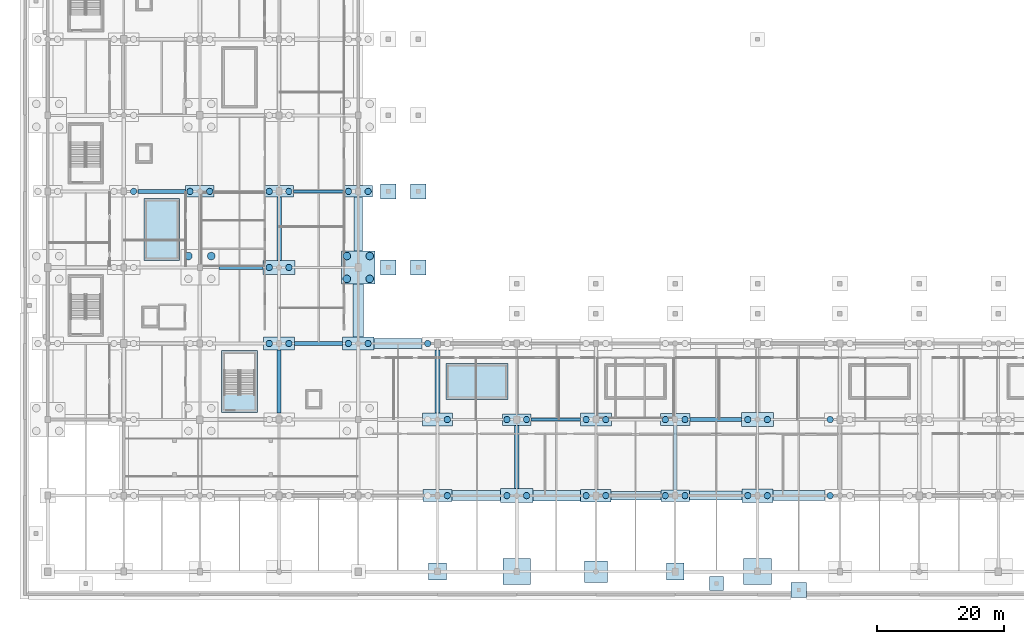
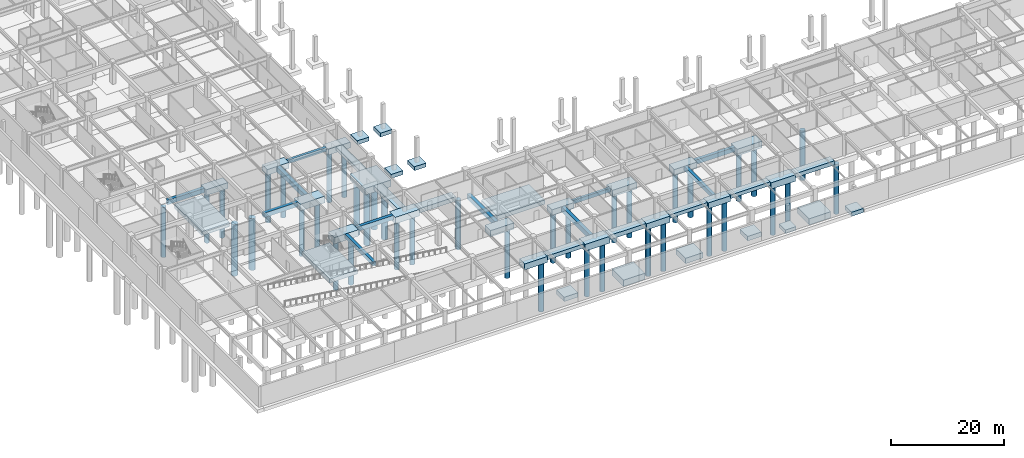
# One storey, part 2 of 56: 50 footings, 40 piles.
"""IFC4 building model written with IfcOpenShell, lengths in metres."""

from ifc_helpers import new_model, si_unit, direction, frame, origin, origin_2d, place, context, subcontext, project, spatial, polyline, rectangle, circle, outline, extrude, material, material_profile, profile_set, type_object, element, save


model = new_model("IFC4")

# Units and contexts
model_context = context("Model", 3, precision=1e-05, world=origin(), true_north=direction((0.0, 1.0)))
body_context = subcontext(model_context, "Body", "Model", "MODEL_VIEW")
ifc_project = project(units=[si_unit("LENGTHUNIT", "METRE"), si_unit("AREAUNIT", "SQUARE_METRE"), si_unit("VOLUMEUNIT", "CUBIC_METRE"), si_unit("PLANEANGLEUNIT", "RADIAN"), si_unit("MASSUNIT", "GRAM", prefix="KILO")], contexts=[model_context])

# Site, building, storey
site_placement = place(None, origin())
site = spatial("IfcSite", under=ifc_project, at=site_placement, CompositionType="ELEMENT")
building_placement = place(site_placement, origin())
building = spatial("IfcBuilding", under=site, at=building_placement, Name="Kazenohara Klinker Stadium", CompositionType="ELEMENT")
storey_placement = place(building_placement, frame((0.0, 0.0, -4.800048828125)))
storey = spatial("IfcBuildingStorey", under=building, at=storey_placement, Name="B01", CompositionType="ELEMENT", Elevation=-4.800048828125)

# Footings
ifc_material = material(Name="Concrete C35/45", Category="concrete")
footing_type_1 = type_object("IfcFootingType", Name="CAP-PC01", PredefinedType="PILE_CAP", material=ifc_material)
for number, where, z_axis, x_axis, name in (
    (1, (24.0, 60.0, -1.25), (0.0, 0.0, 1.0), (1.0, 0.0, 0.0), "Pile cap PC01 at 3/F"),
    (2, (36.5, 60.0, -1.25), (0.0, 0.0, 1.0), (1.0, 0.0, 0.0), "Pile cap PC01 at 4/F"),
    (3, (49.0, 60.0, -1.25), (0.0, 0.0, 1.0), (1.0, 0.0, 0.0), "Pile cap PC01 at 5/F"),
    (4, (74.0, 24.0, -1.25), (0.0, 0.0, 1.0), (1.0, 0.0, 0.0), "Pile cap PC01 at 7/C"),
    (5, (99.0, 12.0, -1.25), (0.0, 0.0, 1.0), (1.0, 0.0, 0.0), "Pile cap PC01 at 9/B"),
):
    element("IfcFooting", number, at=place(storey_placement, frame(where, z_axis=z_axis, x_axis=x_axis)), inside=storey, type_object=footing_type_1, Name=name, PredefinedType="PILE_CAP", context=body_context, shape_type="SweptSolid", body=[
        extrude(rectangle(XDim=4.5, YDim=1.800048828125, at=origin_2d()), origin(), (0.0, 0.0, 1.0), 1.25),
    ])
footing_type_2 = type_object("IfcFootingType", Name="CAP-PC02", PredefinedType="PILE_CAP", material=ifc_material)
for number, where, z_axis, x_axis, name in (
    (6, (61.5, 12.0, -1.2998046875), (0.0, 0.0, 1.0), (1.0, 0.0, 0.0), "Pile cap PC02 at 6/B"),
    (7, (99.0, 24.0, -1.2998046875), (0.0, 0.0, 1.0), (1.0, 0.0, 0.0), "Pile cap PC02 at 9/C"),
):
    element("IfcFooting", number, at=place(storey_placement, frame(where, z_axis=z_axis, x_axis=x_axis)), inside=storey, type_object=footing_type_2, Name=name, PredefinedType="PILE_CAP", context=body_context, shape_type="SweptSolid", body=[
        extrude(rectangle(XDim=4.64990234375, YDim=1.89990234375, at=origin_2d()), origin(), (0.0, 0.0, 1.0), 1.300048828125),
    ])
footing_type_3 = type_object("IfcFootingType", Name="CAP-PC03", PredefinedType="PILE_CAP", material=ifc_material)
for number, where, z_axis, x_axis, name in (
    (8, (61.5, 24.0, -1.35009765625), (0.0, 0.0, 1.0), (1.0, 0.0, 0.0), "Pile cap PC03 at 6/C"),
    (9, (86.5, 12.0, -1.35009765625), (0.0, 0.0, 1.0), (1.0, 0.0, 0.0), "Pile cap PC03 at 8/B"),
):
    element("IfcFooting", number, at=place(storey_placement, frame(where, z_axis=z_axis, x_axis=x_axis)), inside=storey, type_object=footing_type_3, Name=name, PredefinedType="PILE_CAP", context=body_context, shape_type="SweptSolid", body=[
        extrude(rectangle(XDim=4.800048828125, YDim=2.0, at=origin_2d()), origin(), (0.0, 0.0, 1.0), 1.35009765625),
    ])
footing_type_4 = type_object("IfcFootingType", Name="CAP-PC04", PredefinedType="PILE_CAP", material=ifc_material)
for number, where, z_axis, x_axis, name in (
    (10, (36.5, 36.0, -1.39990234375), (0.0, 0.0, 1.0), (1.0, 0.0, 0.0), "Pile cap PC04 at 4/D"),
    (11, (49.0, 36.0, -1.39990234375), (0.0, 0.0, 1.0), (1.0, 0.0, 0.0), "Pile cap PC04 at 5/D"),
    (12, (86.5, 24.0, -1.39990234375), (0.0, 0.0, 1.0), (1.0, 0.0, 0.0), "Pile cap PC04 at 8/C"),
    (13, (112.0, 12.0, -1.39990234375), (0.0, 0.0, 1.0), (1.0, 0.0, 0.0), "Pile cap PC04 at 10/B"),
):
    element("IfcFooting", number, at=place(storey_placement, frame(where, z_axis=z_axis, x_axis=x_axis)), inside=storey, type_object=footing_type_4, Name=name, PredefinedType="PILE_CAP", context=body_context, shape_type="SweptSolid", body=[
        extrude(rectangle(XDim=4.949951171875, YDim=2.10009765625, at=origin_2d()), origin(), (0.0, 0.0, 1.0), 1.39990234375),
    ])
footing_type_5 = type_object("IfcFootingType", Name="CAP-PC05", PredefinedType="PILE_CAP", material=ifc_material)
for number, where, z_axis, x_axis, name in (
    (14, (36.5, 48.0, -1.44970703125), (0.0, 0.0, 1.0), (1.0, 0.0, 0.0), "Pile cap PC05 at 4/E"),
    (15, (74.0, 12.0, -1.44970703125), (0.0, 0.0, 1.0), (1.0, 0.0, 0.0), "Pile cap PC05 at 7/B"),
    (16, (112.0, 24.0, -1.44970703125), (0.0, 0.0, 1.0), (1.0, 0.0, 0.0), "Pile cap PC05 at 10/C"),
):
    element("IfcFooting", number, at=place(storey_placement, frame(where, z_axis=z_axis, x_axis=x_axis)), inside=storey, type_object=footing_type_5, Name=name, PredefinedType="PILE_CAP", context=body_context, shape_type="SweptSolid", body=[
        extrude(rectangle(XDim=5.10009765625, YDim=2.199951171875, at=origin_2d()), origin(), (0.0, 0.0, 1.0), 1.449951171875),
    ])
footing_type_6 = type_object("IfcFootingType", Name="CAP-PC07", PredefinedType="PILE_CAP", material=ifc_material)
footing_1_placement = place(storey_placement, frame((49.0, 48.0, -1.44970703125), z_axis=(0.0, 0.0, 1.0), x_axis=(1.0, 0.0, 0.0)))
element("IfcFooting", 17, at=footing_1_placement, inside=storey, type_object=footing_type_6, Name="Pile cap PC07 at 5/E", PredefinedType="PILE_CAP", context=body_context, shape_type="SweptSolid", body=[
    extrude(rectangle(XDim=5.35009765625, YDim=5.25, at=origin_2d()), origin(), (0.0, 0.0, 1.0), 1.449951171875),
])
footing_type_7 = type_object("IfcFootingType", Name="GBEAM-GB01", PredefinedType="FOOTING_BEAM", material=ifc_material)
footing_2_placement = place(storey_placement, frame((0.0, 0.0, -0.800048828125)))
element("IfcFooting", 18, at=footing_2_placement, inside=storey, type_object=footing_type_7, Name="Foundation tie beam GB01 4-5/F", PredefinedType="FOOTING_BEAM", context=body_context, shape_type="SweptSolid", body=[
    extrude(outline(polyline([(38.75, 59.75), (46.75, 59.75), (46.75, 60.25), (38.75, 60.25), (38.75, 59.75)])), origin(), (0.0, 0.0, 1.0), 0.800048828125),
])
footing_3_placement = place(storey_placement, frame((0.0, 0.0, -0.800048828125)))
element("IfcFooting", 19, at=footing_3_placement, inside=storey, type_object=footing_type_7, Name="Foundation tie beam GB01 7-8/C", PredefinedType="FOOTING_BEAM", context=body_context, shape_type="SweptSolid", body=[
    extrude(outline(polyline([(76.25, 23.75), (84.02490234375, 23.75), (84.02490234375, 24.25), (76.25, 24.25), (76.25, 23.75)])), origin(), (0.0, 0.0, 1.0), 0.800048828125),
])
footing_type_8 = type_object("IfcFootingType", Name="GBEAM-GB02", PredefinedType="FOOTING_BEAM", material=ifc_material)
footing_4_placement = place(storey_placement, frame((0.0, 0.0, -0.8798828125)))
element("IfcFooting", 20, at=footing_4_placement, inside=storey, type_object=footing_type_8, Name="Foundation tie beam GB02 4/C-D", PredefinedType="FOOTING_BEAM", context=body_context, shape_type="SweptSolid", body=[
    extrude(outline(polyline([(36.2099609375, 25.0), (36.7900390625, 25.0), (36.7900390625, 34.949951171875), (36.2099609375, 34.949951171875), (36.2099609375, 25.0)])), origin(), (0.0, 0.0, 1.0), 0.8798828125),
])
footing_5_placement = place(storey_placement, frame((0.0, 0.0, -0.8798828125)))
element("IfcFooting", 21, at=footing_5_placement, inside=storey, type_object=footing_type_8, Name="Foundation tie beam GB02 9/B-C", PredefinedType="FOOTING_BEAM", context=body_context, shape_type="SweptSolid", body=[
    extrude(outline(polyline([(98.7099609375, 12.89990234375), (99.2900390625, 12.89990234375), (99.2900390625, 23.050048828125), (98.7099609375, 23.050048828125), (98.7099609375, 12.89990234375)])), origin(), (0.0, 0.0, 1.0), 0.8798828125),
])
footing_type_9 = type_object("IfcFootingType", Name="GBEAM-GB03", PredefinedType="FOOTING_BEAM", material=ifc_material)
footing_6_placement = place(storey_placement, frame((0.0, 0.0, -0.9599609375)))
element("IfcFooting", 22, at=footing_6_placement, inside=storey, type_object=footing_type_9, Name="Foundation tie beam GB03 2-3/F", PredefinedType="FOOTING_BEAM", context=body_context, shape_type="SweptSolid", body=[
    extrude(outline(polyline([(14.25, 59.675048828125), (21.75, 59.675048828125), (21.75, 60.324951171875), (14.25, 60.324951171875), (14.25, 59.675048828125)])), origin(), (0.0, 0.0, 1.0), 0.9599609375),
])
footing_7_placement = place(storey_placement, frame((0.0, 0.0, -0.9599609375)))
element("IfcFooting", 23, at=footing_7_placement, inside=storey, type_object=footing_type_9, Name="Foundation tie beam GB03 3-4/E", PredefinedType="FOOTING_BEAM", context=body_context, shape_type="SweptSolid", body=[
    extrude(outline(polyline([(27.0, 47.675048828125), (33.949951171875, 47.675048828125), (33.949951171875, 48.324951171875), (27.0, 48.324951171875), (27.0, 47.675048828125)])), origin(), (0.0, 0.0, 1.0), 0.9599609375),
])
footing_8_placement = place(storey_placement, frame((0.0, 0.0, -0.9599609375)))
element("IfcFooting", 24, at=footing_8_placement, inside=storey, type_object=footing_type_9, Name="Foundation tie beam GB03 4-5/D", PredefinedType="FOOTING_BEAM", context=body_context, shape_type="SweptSolid", body=[
    extrude(outline(polyline([(38.97509765625, 35.675048828125), (46.52490234375, 35.675048828125), (46.52490234375, 36.324951171875), (38.97509765625, 36.324951171875), (38.97509765625, 35.675048828125)])), origin(), (0.0, 0.0, 1.0), 0.9599609375),
])
footing_9_placement = place(storey_placement, frame((0.0, 0.0, -0.9599609375)))
element("IfcFooting", 25, at=footing_9_placement, inside=storey, type_object=footing_type_9, Name="Foundation tie beam GB03 9-10/C", PredefinedType="FOOTING_BEAM", context=body_context, shape_type="SweptSolid", body=[
    extrude(outline(polyline([(101.324951171875, 23.675048828125), (109.449951171875, 23.675048828125), (109.449951171875, 24.324951171875), (101.324951171875, 24.324951171875), (101.324951171875, 23.675048828125)])), origin(), (0.0, 0.0, 1.0), 0.9599609375),
])
footing_type_10 = type_object("IfcFootingType", Name="GBEAM-GB04", PredefinedType="FOOTING_BEAM", material=ifc_material)
footing_10_placement = place(storey_placement, frame((0.0, 0.0, -1.050048828125)))
element("IfcFooting", 26, at=footing_10_placement, inside=storey, type_object=footing_type_10, Name="Foundation tie beam GB04 4/E-F", PredefinedType="FOOTING_BEAM", context=body_context, shape_type="SweptSolid", body=[
    extrude(outline(polyline([(36.139892578125, 49.10009765625), (36.860107421875, 49.10009765625), (36.860107421875, 59.10009765625), (36.139892578125, 59.10009765625), (36.139892578125, 49.10009765625)])), origin(), (0.0, 0.0, 1.0), 1.050048828125),
])
footing_11_placement = place(storey_placement, frame((0.0, 0.0, -1.050048828125)))
element("IfcFooting", 27, at=footing_11_placement, inside=storey, type_object=footing_type_10, Name="Foundation tie beam GB04 6/C-D", PredefinedType="FOOTING_BEAM", context=body_context, shape_type="SweptSolid", body=[
    extrude(outline(polyline([(61.139892578125, 25.0), (61.860107421875, 25.0), (61.860107421875, 34.949951171875), (61.139892578125, 34.949951171875), (61.139892578125, 25.0)])), origin(), (0.0, 0.0, 1.0), 1.050048828125),
])
footing_12_placement = place(storey_placement, frame((0.0, 0.0, -1.050048828125)))
element("IfcFooting", 28, at=footing_12_placement, inside=storey, type_object=footing_type_10, Name="Foundation tie beam GB04 7/B-C", PredefinedType="FOOTING_BEAM", context=body_context, shape_type="SweptSolid", body=[
    extrude(outline(polyline([(73.639892578125, 13.10009765625), (74.360107421875, 13.10009765625), (74.360107421875, 23.10009765625), (73.639892578125, 23.10009765625), (73.639892578125, 13.10009765625)])), origin(), (0.0, 0.0, 1.0), 1.050048828125),
])
footing_type_11 = type_object("IfcFootingType", Name="PAD-PF01", PredefinedType="PAD_FOOTING", material=ifc_material)
footing_13_placement = place(storey_placement, frame((105.5, -1.85009765625, -0.7998046875), z_axis=(0.0, 0.0, 1.0), x_axis=(1.0, 0.0, 0.0)))
element("IfcFooting", 29, at=footing_13_placement, inside=storey, type_object=footing_type_11, Name="Exterior plinth support pad PF01 PLAZA-SOUTH-2", PredefinedType="PAD_FOOTING", context=body_context, shape_type="SweptSolid", body=[
    extrude(rectangle(XDim=2.199951171875, YDim=2.199951171875, at=origin_2d()), origin(), (0.0, 0.0, 1.0), 0.800048828125),
])
footing_type_12 = type_object("IfcFootingType", Name="PAD-PF02", PredefinedType="PAD_FOOTING", material=ifc_material)
for number, where, z_axis, x_axis, name in (
    (30, (58.449951171875, 48.0, -0.85009765625), (0.0, 0.0, 1.0), (1.0, 0.0, 0.0), "Bowl moat raker pad PF02 W-E"),
    (31, (53.72509765625, 48.0, -0.85009765625), (0.0, 0.0, 1.0), (1.0, 0.0, 0.0), "Bowl mid-raker pad PF02 W-E"),
    (32, (58.449951171875, 60.0, -0.85009765625), (0.0, 0.0, 1.0), (1.0, 0.0, 0.0), "Bowl moat raker pad PF02 W-F"),
    (33, (53.72509765625, 60.0, -0.85009765625), (0.0, 0.0, 1.0), (1.0, 0.0, 0.0), "Bowl mid-raker pad PF02 W-F"),
    (34, (118.5, -2.89990234375, -0.85009765625), (0.0, 0.0, 1.0), (1.0, 0.0, 0.0), "Barrier-free ramp foundation pad S1"),
):
    element("IfcFooting", number, at=place(storey_placement, frame(where, z_axis=z_axis, x_axis=x_axis)), inside=storey, type_object=footing_type_12, Name=name, PredefinedType="PAD_FOOTING", context=body_context, shape_type="SweptSolid", body=[
        extrude(rectangle(XDim=2.39990234375, YDim=2.39990234375, at=origin_2d()), origin(), (0.0, 0.0, 1.0), 0.85009765625),
    ])
footing_type_13 = type_object("IfcFootingType", Name="PAD-PF04", PredefinedType="PAD_FOOTING", material=ifc_material)
for number, where, z_axis, x_axis, name in (
    (35, (61.5, 0.0, -0.94970703125), (0.0, 0.0, 1.0), (1.0, 0.0, 0.0), "Spread footing PF04 at 6/A"),
    (36, (99.0, 0.0, -0.94970703125), (0.0, 0.0, 1.0), (1.0, 0.0, 0.0), "Spread footing PF04 at 9/A"),
):
    element("IfcFooting", number, at=place(storey_placement, frame(where, z_axis=z_axis, x_axis=x_axis)), inside=storey, type_object=footing_type_13, Name=name, PredefinedType="PAD_FOOTING", context=body_context, shape_type="SweptSolid", body=[
        extrude(rectangle(XDim=2.800048828125, YDim=2.699951171875, at=origin_2d()), origin(), (0.0, 0.0, 1.0), 0.949951171875),
    ])
footing_14_placement = place(storey_placement, frame((0.0, 0.0, -1.550048828125)))
element("IfcFooting", 37, at=footing_14_placement, inside=storey, type_object=footing_type_13, Name="Stairwell core foundation raft ST07", PredefinedType="PAD_FOOTING", context=body_context, shape_type="SweptSolid", body=[
    extrude(outline(polyline([(27.405029296875, 25.125), (33.094970703125, 25.125), (33.094970703125, 34.875), (27.405029296875, 34.875), (27.405029296875, 25.125)])), origin(), (0.0, 0.0, 1.0), 0.900146484375),
])
footing_15_placement = place(storey_placement, frame((0.0, 0.0, -1.550048828125)))
element("IfcFooting", 38, at=footing_15_placement, inside=storey, type_object=footing_type_13, Name="Stairwell core foundation raft ST13", PredefinedType="PAD_FOOTING", context=body_context, shape_type="SweptSolid", body=[
    extrude(outline(polyline([(15.18505859375, 49.125), (20.81494140625, 49.125), (20.81494140625, 58.875), (15.18505859375, 58.875), (15.18505859375, 49.125)])), origin(), (0.0, 0.0, 1.0), 0.900146484375),
])
footing_16_placement = place(storey_placement, frame((0.0, 0.0, -1.550048828125)))
element("IfcFooting", 39, at=footing_16_placement, inside=storey, type_object=footing_type_13, Name="Stairwell core foundation raft ST25", PredefinedType="PAD_FOOTING", context=body_context, shape_type="SweptSolid", body=[
    extrude(outline(polyline([(62.875, 27.18505859375), (72.625, 27.18505859375), (72.625, 32.81494140625), (62.875, 32.81494140625), (62.875, 27.18505859375)])), origin(), (0.0, 0.0, 1.0), 0.900146484375),
])
footing_type_14 = type_object("IfcFootingType", Name="PAD-PF08", PredefinedType="PAD_FOOTING", material=ifc_material)
footing_17_placement = place(storey_placement, frame((86.5, 0.0, -1.14990234375), z_axis=(0.0, 0.0, 1.0), x_axis=(1.0, 0.0, 0.0)))
element("IfcFooting", 40, at=footing_17_placement, inside=storey, type_object=footing_type_14, Name="Spread footing PF08 at 8/A", PredefinedType="PAD_FOOTING", context=body_context, shape_type="SweptSolid", body=[
    extrude(rectangle(XDim=3.60009765625, YDim=3.39990234375, at=origin_2d()), origin(), (0.0, 0.0, 1.0), 1.14990234375),
])
footing_type_15 = type_object("IfcFootingType", Name="PAD-PF12", PredefinedType="PAD_FOOTING", material=ifc_material)
for number, where, z_axis, x_axis, name in (
    (41, (74.0, 0.0, -1.35009765625), (0.0, 0.0, 1.0), (1.0, 0.0, 0.0), "Spread footing PF12 at 7/A"),
    (42, (112.0, 0.0, -1.35009765625), (0.0, 0.0, 1.0), (1.0, 0.0, 0.0), "Spread footing PF12 at 10/A"),
):
    element("IfcFooting", number, at=place(storey_placement, frame(where, z_axis=z_axis, x_axis=x_axis)), inside=storey, type_object=footing_type_15, Name=name, PredefinedType="PAD_FOOTING", context=body_context, shape_type="SweptSolid", body=[
        extrude(rectangle(XDim=4.39990234375, YDim=4.10009765625, at=origin_2d()), origin(), (0.0, 0.0, 1.0), 1.35009765625),
    ])

# Piles
ifc_material_profile_1 = material_profile(ifc_material, circle(Radius=0.5, at=origin_2d()), Name="BORED-PILE-1000")
ifc_profile_set_1 = profile_set([ifc_material_profile_1], Name="Concrete C35/45")
pile_type_1 = type_object("IfcPileType", Name="PILE-P01-1000", PredefinedType="BORED", material=ifc_profile_set_1)
for number, where, z_axis, x_axis, name in (
    (43, (13.550048828125, 60.0, -1.14990234375), (0.0, 0.0, -1.0), (1.0, 0.0, 0.0), "Bored pile P01-0105-2"),
    (44, (22.449951171875, 60.0, -1.14990234375), (0.0, 0.0, -1.0), (1.0, 0.0, 0.0), "Bored pile P01-0205-1"),
    (45, (25.550048828125, 60.0, -1.14990234375), (0.0, 0.0, -1.0), (1.0, 0.0, 0.0), "Bored pile P01-0205-2"),
):
    element("IfcPile", number, at=place(storey_placement, frame(where, z_axis=z_axis, x_axis=x_axis)), inside=storey, type_object=pile_type_1, Name=name, PredefinedType="BORED", context=body_context, shape_type="SweptSolid", body=[
        extrude(circle(Radius=0.5, at=origin_2d()), origin(), (0.0, 0.0, 1.0), 10.85009765625),
    ])
for number, where, z_axis, x_axis, name in (
    (46, (34.949951171875, 36.0, -1.300048828125), (0.0, 0.0, -1.0), (1.0, 0.0, 0.0), "Bored pile P01-0303-1"),
    (47, (38.050048828125, 36.0, -1.300048828125), (0.0, 0.0, -1.0), (1.0, 0.0, 0.0), "Bored pile P01-0303-2"),
):
    element("IfcPile", number, at=place(storey_placement, frame(where, z_axis=z_axis, x_axis=x_axis)), inside=storey, type_object=pile_type_1, Name=name, PredefinedType="BORED", context=body_context, shape_type="SweptSolid", body=[
        extrude(circle(Radius=0.5, at=origin_2d()), origin(), (0.0, 0.0, 1.0), 10.699951171875),
    ])
for number, where, z_axis, x_axis, name in (
    (48, (34.949951171875, 48.0, -1.349853515625), (0.0, 0.0, -1.0), (1.0, 0.0, 0.0), "Bored pile P01-0304-1"),
    (49, (38.050048828125, 48.0, -1.349853515625), (0.0, 0.0, -1.0), (1.0, 0.0, 0.0), "Bored pile P01-0304-2"),
):
    element("IfcPile", number, at=place(storey_placement, frame(where, z_axis=z_axis, x_axis=x_axis)), inside=storey, type_object=pile_type_1, Name=name, PredefinedType="BORED", context=body_context, shape_type="SweptSolid", body=[
        extrude(circle(Radius=0.5, at=origin_2d()), origin(), (0.0, 0.0, 1.0), 10.64990234375),
    ])
for number, where, z_axis, x_axis, name in (
    (50, (34.949951171875, 60.0, -1.14990234375), (0.0, 0.0, -1.0), (1.0, 0.0, 0.0), "Bored pile P01-0305-1"),
    (51, (38.050048828125, 60.0, -1.14990234375), (0.0, 0.0, -1.0), (1.0, 0.0, 0.0), "Bored pile P01-0305-2"),
):
    element("IfcPile", number, at=place(storey_placement, frame(where, z_axis=z_axis, x_axis=x_axis)), inside=storey, type_object=pile_type_1, Name=name, PredefinedType="BORED", context=body_context, shape_type="SweptSolid", body=[
        extrude(circle(Radius=0.5, at=origin_2d()), origin(), (0.0, 0.0, 1.0), 10.85009765625),
    ])
for number, where, z_axis, x_axis, name in (
    (52, (47.449951171875, 36.0, -1.300048828125), (0.0, 0.0, -1.0), (1.0, 0.0, 0.0), "Bored pile P01-0403-1"),
    (53, (50.550048828125, 36.0, -1.300048828125), (0.0, 0.0, -1.0), (1.0, 0.0, 0.0), "Bored pile P01-0403-2"),
):
    element("IfcPile", number, at=place(storey_placement, frame(where, z_axis=z_axis, x_axis=x_axis)), inside=storey, type_object=pile_type_1, Name=name, PredefinedType="BORED", context=body_context, shape_type="SweptSolid", body=[
        extrude(circle(Radius=0.5, at=origin_2d()), origin(), (0.0, 0.0, 1.0), 10.699951171875),
    ])
for number, where, z_axis, x_axis, name in (
    (54, (47.449951171875, 60.0, -1.14990234375), (0.0, 0.0, -1.0), (1.0, 0.0, 0.0), "Bored pile P01-0405-1"),
    (55, (50.550048828125, 60.0, -1.14990234375), (0.0, 0.0, -1.0), (1.0, 0.0, 0.0), "Bored pile P01-0405-2"),
):
    element("IfcPile", number, at=place(storey_placement, frame(where, z_axis=z_axis, x_axis=x_axis)), inside=storey, type_object=pile_type_1, Name=name, PredefinedType="BORED", context=body_context, shape_type="SweptSolid", body=[
        extrude(circle(Radius=0.5, at=origin_2d()), origin(), (0.0, 0.0, 1.0), 10.85009765625),
    ])
pile_1_placement = place(storey_placement, frame((63.050048828125, 12.0, -1.199951171875), z_axis=(0.0, 0.0, -1.0), x_axis=(1.0, 0.0, 0.0)))
element("IfcPile", 56, at=pile_1_placement, inside=storey, type_object=pile_type_1, Name="Bored pile P01-0501-2", PredefinedType="BORED", context=body_context, shape_type="SweptSolid", body=[
    extrude(circle(Radius=0.5, at=origin_2d()), origin(), (0.0, 0.0, 1.0), 10.800048828125),
])
pile_2_placement = place(storey_placement, frame((63.050048828125, 24.0, -1.25), z_axis=(0.0, 0.0, -1.0), x_axis=(1.0, 0.0, 0.0)))
element("IfcPile", 57, at=pile_2_placement, inside=storey, type_object=pile_type_1, Name="Bored pile P01-0502-2", PredefinedType="BORED", context=body_context, shape_type="SweptSolid", body=[
    extrude(circle(Radius=0.5, at=origin_2d()), origin(), (0.0, 0.0, 1.0), 10.75),
])
pile_3_placement = place(storey_placement, frame((59.949951171875, 36.0, -1.300048828125), z_axis=(0.0, 0.0, -1.0), x_axis=(1.0, 0.0, 0.0)))
element("IfcPile", 58, at=pile_3_placement, inside=storey, type_object=pile_type_1, Name="Bored pile P01-0503-1", PredefinedType="BORED", context=body_context, shape_type="SweptSolid", body=[
    extrude(circle(Radius=0.5, at=origin_2d()), origin(), (0.0, 0.0, 1.0), 10.699951171875),
])
for number, where, z_axis, x_axis, name in (
    (59, (72.449951171875, 12.0, -1.349853515625), (0.0, 0.0, -1.0), (1.0, 0.0, 0.0), "Bored pile P01-0601-1"),
    (60, (75.550048828125, 12.0, -1.349853515625), (0.0, 0.0, -1.0), (1.0, 0.0, 0.0), "Bored pile P01-0601-2"),
):
    element("IfcPile", number, at=place(storey_placement, frame(where, z_axis=z_axis, x_axis=x_axis)), inside=storey, type_object=pile_type_1, Name=name, PredefinedType="BORED", context=body_context, shape_type="SweptSolid", body=[
        extrude(circle(Radius=0.5, at=origin_2d()), origin(), (0.0, 0.0, 1.0), 10.64990234375),
    ])
for number, where, z_axis, x_axis, name in (
    (61, (72.449951171875, 24.0, -1.14990234375), (0.0, 0.0, -1.0), (1.0, 0.0, 0.0), "Bored pile P01-0602-1"),
    (62, (75.550048828125, 24.0, -1.14990234375), (0.0, 0.0, -1.0), (1.0, 0.0, 0.0), "Bored pile P01-0602-2"),
):
    element("IfcPile", number, at=place(storey_placement, frame(where, z_axis=z_axis, x_axis=x_axis)), inside=storey, type_object=pile_type_1, Name=name, PredefinedType="BORED", context=body_context, shape_type="SweptSolid", body=[
        extrude(circle(Radius=0.5, at=origin_2d()), origin(), (0.0, 0.0, 1.0), 10.85009765625),
    ])
for number, where, z_axis, x_axis, name in (
    (63, (84.949951171875, 12.0, -1.25), (0.0, 0.0, -1.0), (1.0, 0.0, 0.0), "Bored pile P01-0701-1"),
    (64, (88.050048828125, 12.0, -1.25), (0.0, 0.0, -1.0), (1.0, 0.0, 0.0), "Bored pile P01-0701-2"),
):
    element("IfcPile", number, at=place(storey_placement, frame(where, z_axis=z_axis, x_axis=x_axis)), inside=storey, type_object=pile_type_1, Name=name, PredefinedType="BORED", context=body_context, shape_type="SweptSolid", body=[
        extrude(circle(Radius=0.5, at=origin_2d()), origin(), (0.0, 0.0, 1.0), 10.75),
    ])
for number, where, z_axis, x_axis, name in (
    (65, (84.949951171875, 24.0, -1.300048828125), (0.0, 0.0, -1.0), (1.0, 0.0, 0.0), "Bored pile P01-0702-1"),
    (66, (88.050048828125, 24.0, -1.300048828125), (0.0, 0.0, -1.0), (1.0, 0.0, 0.0), "Bored pile P01-0702-2"),
):
    element("IfcPile", number, at=place(storey_placement, frame(where, z_axis=z_axis, x_axis=x_axis)), inside=storey, type_object=pile_type_1, Name=name, PredefinedType="BORED", context=body_context, shape_type="SweptSolid", body=[
        extrude(circle(Radius=0.5, at=origin_2d()), origin(), (0.0, 0.0, 1.0), 10.699951171875),
    ])
for number, where, z_axis, x_axis, name in (
    (67, (97.449951171875, 12.0, -1.14990234375), (0.0, 0.0, -1.0), (1.0, 0.0, 0.0), "Bored pile P01-0801-1"),
    (68, (100.550048828125, 12.0, -1.14990234375), (0.0, 0.0, -1.0), (1.0, 0.0, 0.0), "Bored pile P01-0801-2"),
):
    element("IfcPile", number, at=place(storey_placement, frame(where, z_axis=z_axis, x_axis=x_axis)), inside=storey, type_object=pile_type_1, Name=name, PredefinedType="BORED", context=body_context, shape_type="SweptSolid", body=[
        extrude(circle(Radius=0.5, at=origin_2d()), origin(), (0.0, 0.0, 1.0), 10.85009765625),
    ])
for number, where, z_axis, x_axis, name in (
    (69, (97.449951171875, 24.0, -1.199951171875), (0.0, 0.0, -1.0), (1.0, 0.0, 0.0), "Bored pile P01-0802-1"),
    (70, (100.550048828125, 24.0, -1.199951171875), (0.0, 0.0, -1.0), (1.0, 0.0, 0.0), "Bored pile P01-0802-2"),
):
    element("IfcPile", number, at=place(storey_placement, frame(where, z_axis=z_axis, x_axis=x_axis)), inside=storey, type_object=pile_type_1, Name=name, PredefinedType="BORED", context=body_context, shape_type="SweptSolid", body=[
        extrude(circle(Radius=0.5, at=origin_2d()), origin(), (0.0, 0.0, 1.0), 10.800048828125),
    ])
for number, where, z_axis, x_axis, name in (
    (71, (110.449951171875, 12.0, -1.300048828125), (0.0, 0.0, -1.0), (1.0, 0.0, 0.0), "Bored pile P01-0901-1"),
    (72, (113.550048828125, 12.0, -1.300048828125), (0.0, 0.0, -1.0), (1.0, 0.0, 0.0), "Bored pile P01-0901-2"),
):
    element("IfcPile", number, at=place(storey_placement, frame(where, z_axis=z_axis, x_axis=x_axis)), inside=storey, type_object=pile_type_1, Name=name, PredefinedType="BORED", context=body_context, shape_type="SweptSolid", body=[
        extrude(circle(Radius=0.5, at=origin_2d()), origin(), (0.0, 0.0, 1.0), 10.699951171875),
    ])
for number, where, z_axis, x_axis, name in (
    (73, (110.449951171875, 24.0, -1.349853515625), (0.0, 0.0, -1.0), (1.0, 0.0, 0.0), "Bored pile P01-0902-1"),
    (74, (113.550048828125, 24.0, -1.349853515625), (0.0, 0.0, -1.0), (1.0, 0.0, 0.0), "Bored pile P01-0902-2"),
):
    element("IfcPile", number, at=place(storey_placement, frame(where, z_axis=z_axis, x_axis=x_axis)), inside=storey, type_object=pile_type_1, Name=name, PredefinedType="BORED", context=body_context, shape_type="SweptSolid", body=[
        extrude(circle(Radius=0.5, at=origin_2d()), origin(), (0.0, 0.0, 1.0), 10.64990234375),
    ])
pile_4_placement = place(storey_placement, frame((123.449951171875, 12.0, -1.199951171875), z_axis=(0.0, 0.0, -1.0), x_axis=(1.0, 0.0, 0.0)))
element("IfcPile", 75, at=pile_4_placement, inside=storey, type_object=pile_type_1, Name="Bored pile P01-1001-1", PredefinedType="BORED", context=body_context, shape_type="SweptSolid", body=[
    extrude(circle(Radius=0.5, at=origin_2d()), origin(), (0.0, 0.0, 1.0), 10.800048828125),
])
pile_5_placement = place(storey_placement, frame((123.449951171875, 24.0, -1.25), z_axis=(0.0, 0.0, -1.0), x_axis=(1.0, 0.0, 0.0)))
element("IfcPile", 76, at=pile_5_placement, inside=storey, type_object=pile_type_1, Name="Bored pile P01-1002-1", PredefinedType="BORED", context=body_context, shape_type="SweptSolid", body=[
    extrude(circle(Radius=0.5, at=origin_2d()), origin(), (0.0, 0.0, 1.0), 10.75),
])
ifc_material_profile_2 = material_profile(ifc_material, circle(Radius=0.60009765625, at=origin_2d()), Name="BORED-PILE-1200")
ifc_profile_set_2 = profile_set([ifc_material_profile_2], Name="Concrete C35/45")
pile_type_2 = type_object("IfcPileType", Name="PILE-P02-1200", PredefinedType="BORED", material=ifc_profile_set_2)
for number, where, z_axis, x_axis, name in (
    (77, (22.199951171875, 49.800048828125, -1.599853515625), (0.0, 0.0, -1.0), (1.0, 0.0, 0.0), "Bored pile P02-0204-3"),
    (78, (25.800048828125, 49.800048828125, -1.599853515625), (0.0, 0.0, -1.0), (1.0, 0.0, 0.0), "Bored pile P02-0204-4"),
):
    element("IfcPile", number, at=place(storey_placement, frame(where, z_axis=z_axis, x_axis=x_axis)), inside=storey, type_object=pile_type_2, Name=name, PredefinedType="BORED", context=body_context, shape_type="SweptSolid", body=[
        extrude(circle(Radius=0.60009765625, at=origin_2d()), origin(), (0.0, 0.0, 1.0), 11.199951171875),
    ])
for number, where, z_axis, x_axis, name in (
    (79, (47.199951171875, 46.199951171875, -1.349853515625), (0.0, 0.0, -1.0), (1.0, 0.0, 0.0), "Bored pile P02-0404-1"),
    (80, (50.800048828125, 46.199951171875, -1.349853515625), (0.0, 0.0, -1.0), (1.0, 0.0, 0.0), "Bored pile P02-0404-2"),
    (81, (47.199951171875, 49.800048828125, -1.349853515625), (0.0, 0.0, -1.0), (1.0, 0.0, 0.0), "Bored pile P02-0404-3"),
    (82, (50.800048828125, 49.800048828125, -1.349853515625), (0.0, 0.0, -1.0), (1.0, 0.0, 0.0), "Bored pile P02-0404-4"),
):
    element("IfcPile", number, at=place(storey_placement, frame(where, z_axis=z_axis, x_axis=x_axis)), inside=storey, type_object=pile_type_2, Name=name, PredefinedType="BORED", context=body_context, shape_type="SweptSolid", body=[
        extrude(circle(Radius=0.60009765625, at=origin_2d()), origin(), (0.0, 0.0, 1.0), 11.449951171875),
    ])

# Footings
footing_type_16 = type_object("IfcFootingType", Name="STRIP-SF01", PredefinedType="STRIP_FOOTING", material=ifc_material)
footing_18_placement = place(storey_placement, frame((0.0, 0.0, -0.75)))
element("IfcFooting", 83, at=footing_18_placement, inside=storey, type_object=footing_type_16, Name="Perimeter strip footing SF01 8-9/B", PredefinedType="STRIP_FOOTING", context=body_context, shape_type="SweptSolid", body=[
    extrude(outline(polyline([(88.89990234375, 11.324951171875), (96.75, 11.324951171875), (96.75, 12.675048828125), (88.89990234375, 12.675048828125), (88.89990234375, 11.324951171875)])), origin(), (0.0, 0.0, 1.0), 0.75),
])
footing_19_placement = place(storey_placement, frame((0.0, 0.0, -0.75)))
element("IfcFooting", 84, at=footing_19_placement, inside=storey, type_object=footing_type_16, Name="Perimeter strip footing SF01 5/E-F", PredefinedType="STRIP_FOOTING", context=body_context, shape_type="SweptSolid", body=[
    extrude(outline(polyline([(48.324951171875, 50.625), (49.675048828125, 50.625), (49.675048828125, 59.10009765625), (48.324951171875, 59.10009765625), (48.324951171875, 50.625)])), origin(), (0.0, 0.0, 1.0), 0.75),
])
footing_type_17 = type_object("IfcFootingType", Name="STRIP-SF02", PredefinedType="STRIP_FOOTING", material=ifc_material)
footing_20_placement = place(storey_placement, frame((0.0, 0.0, -0.800048828125)))
element("IfcFooting", 85, at=footing_20_placement, inside=storey, type_object=footing_type_17, Name="Perimeter strip footing SF02 9-10/B", PredefinedType="STRIP_FOOTING", context=body_context, shape_type="SweptSolid", body=[
    extrude(outline(polyline([(101.25, 11.27490234375), (109.52490234375, 11.27490234375), (109.52490234375, 12.72509765625), (101.25, 12.72509765625), (101.25, 11.27490234375)])), origin(), (0.0, 0.0, 1.0), 0.800048828125),
])
footing_type_18 = type_object("IfcFootingType", Name="STRIP-SF03", PredefinedType="STRIP_FOOTING", material=ifc_material)
footing_21_placement = place(storey_placement, frame((0.0, 0.0, -0.8798828125)))
element("IfcFooting", 86, at=footing_21_placement, inside=storey, type_object=footing_type_18, Name="Perimeter strip footing SF03 6-7/B", PredefinedType="STRIP_FOOTING", context=body_context, shape_type="SweptSolid", body=[
    extrude(outline(polyline([(63.824951171875, 11.22509765625), (71.449951171875, 11.22509765625), (71.449951171875, 12.77490234375), (63.824951171875, 12.77490234375), (63.824951171875, 11.22509765625)])), origin(), (0.0, 0.0, 1.0), 0.8798828125),
])
footing_22_placement = place(storey_placement, frame((0.0, 0.0, -0.8798828125)))
element("IfcFooting", 87, at=footing_22_placement, inside=storey, type_object=footing_type_18, Name="Perimeter strip footing SF03 10-11/B", PredefinedType="STRIP_FOOTING", context=body_context, shape_type="SweptSolid", body=[
    extrude(outline(polyline([(114.47509765625, 11.22509765625), (122.675048828125, 11.22509765625), (122.675048828125, 12.77490234375), (114.47509765625, 12.77490234375), (114.47509765625, 11.22509765625)])), origin(), (0.0, 0.0, 1.0), 0.8798828125),
])
footing_type_19 = type_object("IfcFootingType", Name="STRIP-SF04", PredefinedType="STRIP_FOOTING", material=ifc_material)
footing_23_placement = place(storey_placement, frame((0.0, 0.0, -0.949951171875)))
element("IfcFooting", 88, at=footing_23_placement, inside=storey, type_object=footing_type_19, Name="Perimeter strip footing SF04 5-6/D", PredefinedType="STRIP_FOOTING", context=body_context, shape_type="SweptSolid", body=[
    extrude(outline(polyline([(51.47509765625, 35.175048828125), (59.02490234375, 35.175048828125), (59.02490234375, 36.824951171875), (51.47509765625, 36.824951171875), (51.47509765625, 35.175048828125)])), origin(), (0.0, 0.0, 1.0), 0.949951171875),
])
footing_24_placement = place(storey_placement, frame((0.0, 0.0, -0.949951171875)))
element("IfcFooting", 89, at=footing_24_placement, inside=storey, type_object=footing_type_19, Name="Perimeter strip footing SF04 7-8/B", PredefinedType="STRIP_FOOTING", context=body_context, shape_type="SweptSolid", body=[
    extrude(outline(polyline([(76.550048828125, 11.175048828125), (84.10009765625, 11.175048828125), (84.10009765625, 12.824951171875), (76.550048828125, 12.824951171875), (76.550048828125, 11.175048828125)])), origin(), (0.0, 0.0, 1.0), 0.949951171875),
])
footing_25_placement = place(storey_placement, frame((0.0, 0.0, -0.949951171875)))
element("IfcFooting", 90, at=footing_25_placement, inside=storey, type_object=footing_type_19, Name="Perimeter strip footing SF04 5/D-E", PredefinedType="STRIP_FOOTING", context=body_context, shape_type="SweptSolid", body=[
    extrude(outline(polyline([(48.175048828125, 37.050048828125), (49.824951171875, 37.050048828125), (49.824951171875, 45.375), (48.175048828125, 45.375), (48.175048828125, 37.050048828125)])), origin(), (0.0, 0.0, 1.0), 0.949951171875),
])

save(model, "model.ifc")
